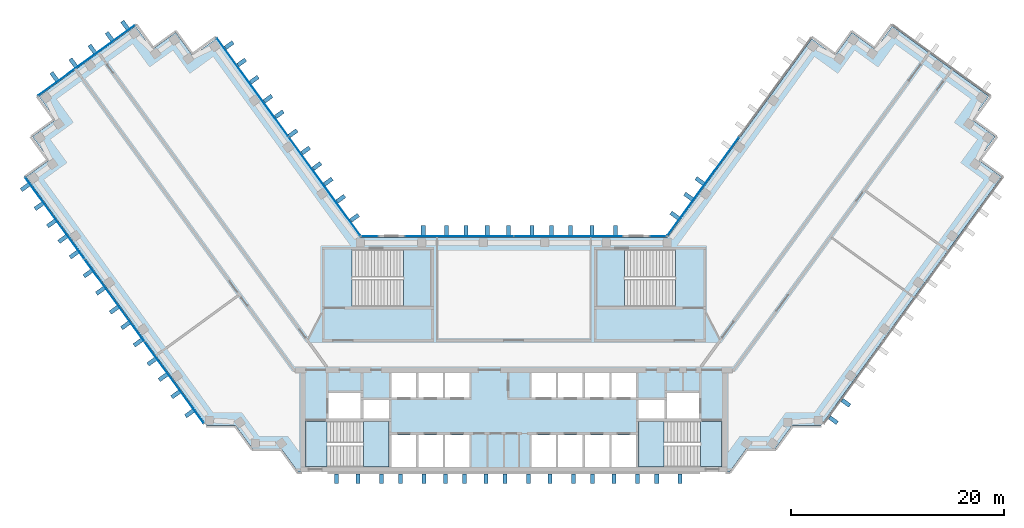
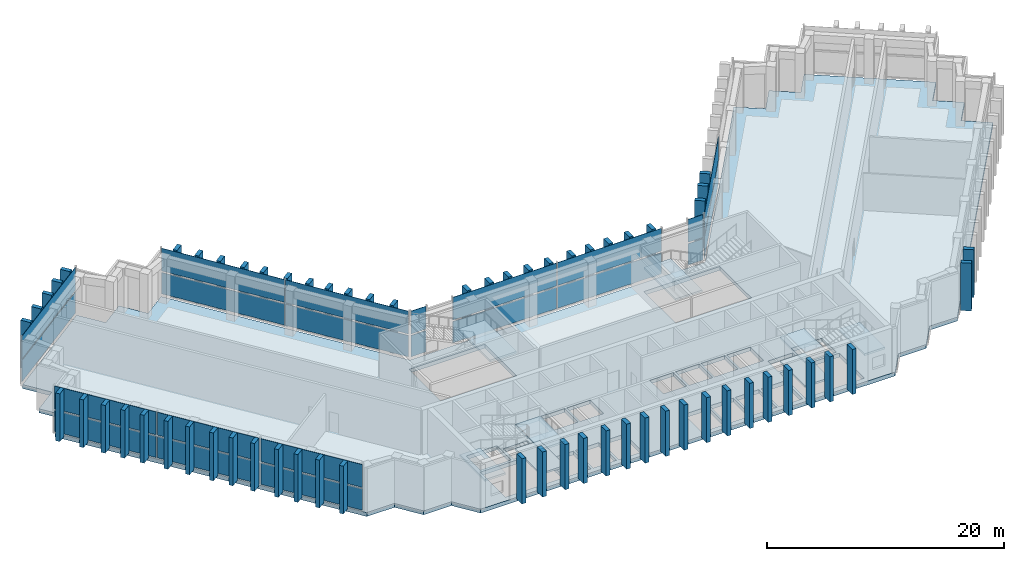
# One storey, part 6 of 14: 84 plates, 9 slabs, 11 elements without a shape of their own.
"""IFC4 building model written with IfcOpenShell, lengths in metres."""

from ifc_helpers import new_model, si_unit, direction, frame, origin, origin_2d, place, context, subcontext, project, spatial, polyline, rectangle, outline, extrude, material, layer, layer_set, type_object, element, aggregate, save


model = new_model("IFC4")

# Units and contexts
model_context = context("Model", 3, precision=1e-05, world=origin(), true_north=direction((0.0, 1.0)))
body_context = subcontext(model_context, "Body", "Model", "MODEL_VIEW")
ifc_project = project(units=[si_unit("LENGTHUNIT", "METRE"), si_unit("AREAUNIT", "SQUARE_METRE"), si_unit("VOLUMEUNIT", "CUBIC_METRE"), si_unit("PLANEANGLEUNIT", "RADIAN"), si_unit("MASSUNIT", "GRAM", prefix="KILO")], contexts=[model_context])

# Site, building, storey
site_placement = place(None, origin())
site = spatial("IfcSite", under=ifc_project, at=site_placement, CompositionType="ELEMENT")
building_placement = place(site_placement, origin())
building = spatial("IfcBuilding", under=site, at=building_placement, Name="Quipu Civic Tower", CompositionType="ELEMENT")
storey_placement = place(building_placement, frame((0.0, 0.0, 139.0)))
storey = spatial("IfcBuildingStorey", under=building, at=storey_placement, Name="L32", CompositionType="ELEMENT", Elevation=139.0)

# Slab
ifc_material_1 = material(Name="Concrete C40/50", Category="concrete")
ifc_layer_1 = layer(ifc_material_1, 0.39990234375)
ifc_layer_set_1 = layer_set([ifc_layer_1], Name="Concrete C40/50")
slab_type_1 = type_object("IfcSlabType", Name="Floor slab 400 C40/50", PredefinedType="FLOOR", material=ifc_layer_set_1)
slab_1_placement = place(storey_placement, frame((0.0, 0.0, -0.39990234375)))
element("IfcSlab", 1, at=slab_1_placement, inside=storey, type_object=slab_type_1, Name="Floor slab L32", PredefinedType="FLOOR", context=body_context, shape_type="SweptSolid", body=[
    extrude(outline(polyline([(27.909912109375, 29.60498046875), (30.094970703125, 28.014892578125), (31.68505859375, 30.199951171875), (33.864990234375, 28.614990234375), (35.455078125, 30.800048828125), (44.514892578125, 24.215087890625), (42.929931640625, 22.030029296875), (45.114990234375, 20.445068359375), (43.52490234375, 18.260009765625), (45.7099609375, 16.669921875), (28.780029296875, -6.6298828125), (26.080078125, -6.6298828125), (24.489990234375, -8.81494140625), (21.7900390625, -8.81494140625), (20.205078125, -11.0), (-20.205078125, -11.0), (-21.7900390625, -8.81494140625), (-24.489990234375, -8.81494140625), (-26.080078125, -6.6298828125), (-28.780029296875, -6.6298828125), (-45.7099609375, 16.669921875), (-43.52490234375, 18.260009765625), (-45.114990234375, 20.445068359375), (-42.929931640625, 22.030029296875), (-44.514892578125, 24.215087890625), (-35.455078125, 30.800048828125), (-33.864990234375, 28.614990234375), (-31.68505859375, 30.199951171875), (-30.094970703125, 28.014892578125), (-27.909912109375, 29.60498046875), (-14.39501953125, 11.0), (14.39501953125, 11.0), (27.909912109375, 29.60498046875)]), holes=[polyline([(-11.449951171875, -7.5), (-11.449951171875, -10.5), (-9.14990234375, -10.5), (-9.14990234375, -7.5), (-11.449951171875, -7.5)]), polyline([(-8.949951171875, -7.5), (-8.949951171875, -10.5), (-6.64990234375, -10.5), (-6.64990234375, -7.5), (-8.949951171875, -7.5)]), polyline([(-6.449951171875, -7.5), (-6.449951171875, -10.5), (-4.14990234375, -10.5), (-4.14990234375, -7.5), (-6.449951171875, -7.5)]), polyline([(3.949951171875, -7.5), (1.64990234375, -7.5), (1.64990234375, -10.5), (3.949951171875, -10.5), (3.949951171875, -7.5)]), polyline([(-11.705078125, -10.4951171875), (-11.705078125, -6.2548828125), (-17.4951171875, -6.2548828125), (-17.4951171875, -10.4951171875), (-11.705078125, -10.4951171875)]), polyline([(-14.10009765625, -4.25), (-14.10009765625, -6.0), (-11.699951171875, -6.0), (-11.699951171875, -4.25), (-14.10009765625, -4.25)]), polyline([(-14.35009765625, -3.60009765625), (-17.35009765625, -3.60009765625), (-17.35009765625, -6.0), (-14.35009765625, -6.0), (-14.35009765625, -3.60009765625)]), polyline([(-9.14990234375, -1.699951171875), (-11.449951171875, -1.699951171875), (-11.449951171875, -4.0), (-9.14990234375, -4.0), (-9.14990234375, -1.699951171875)]), polyline([(-8.949951171875, -1.699951171875), (-8.949951171875, -4.0), (-6.64990234375, -4.0), (-6.64990234375, -1.699951171875), (-8.949951171875, -1.699951171875)]), polyline([(-4.14990234375, -1.699951171875), (-6.449951171875, -1.699951171875), (-6.449951171875, -4.0), (-4.14990234375, -4.0), (-4.14990234375, -1.699951171875)]), polyline([(-7.7548828125, 4.5048828125), (-7.7548828125, 9.844970703125), (-15.14501953125, 9.844970703125), (-15.14501953125, 4.5048828125), (-7.7548828125, 4.5048828125)]), polyline([(4.14990234375, -7.5), (4.14990234375, -10.5), (6.449951171875, -10.5), (6.449951171875, -7.5), (4.14990234375, -7.5)]), polyline([(6.64990234375, -7.5), (6.64990234375, -10.5), (8.949951171875, -10.5), (8.949951171875, -7.5), (6.64990234375, -7.5)]), polyline([(9.14990234375, -7.5), (9.14990234375, -10.5), (11.449951171875, -10.5), (11.449951171875, -7.5), (9.14990234375, -7.5)]), polyline([(11.705078125, -6.2548828125), (11.705078125, -10.4951171875), (17.4951171875, -10.4951171875), (17.4951171875, -6.2548828125), (11.705078125, -6.2548828125)]), polyline([(14.10009765625, -4.25), (11.699951171875, -4.25), (11.699951171875, -6.0), (14.10009765625, -6.0), (14.10009765625, -4.25)]), polyline([(14.35009765625, -3.60009765625), (14.35009765625, -6.0), (17.35009765625, -6.0), (17.35009765625, -3.60009765625), (14.35009765625, -3.60009765625)]), polyline([(3.949951171875, -1.699951171875), (1.64990234375, -1.699951171875), (1.64990234375, -4.0), (3.949951171875, -4.0), (3.949951171875, -1.699951171875)]), polyline([(6.449951171875, -1.699951171875), (4.14990234375, -1.699951171875), (4.14990234375, -4.0), (6.449951171875, -4.0), (6.449951171875, -1.699951171875)]), polyline([(6.64990234375, -1.699951171875), (6.64990234375, -4.0), (8.949951171875, -4.0), (8.949951171875, -1.699951171875), (6.64990234375, -1.699951171875)]), polyline([(11.449951171875, -1.699951171875), (9.14990234375, -1.699951171875), (9.14990234375, -4.0), (11.449951171875, -4.0), (11.449951171875, -1.699951171875)]), polyline([(7.7548828125, 9.844970703125), (7.7548828125, 4.5048828125), (15.14501953125, 4.5048828125), (15.14501953125, 9.844970703125), (7.7548828125, 9.844970703125)])]), origin(), (0.0, 0.0, 1.0), 0.39990234375),
])

# Curtain wall, plates
ifc_material_2 = material(Name="Insulated glass unit", Category="glass")
curtain_wall_type = type_object("IfcCurtainWallType", Name="Sky lobby and refuge curtain wall CW5", PredefinedType="NOTDEFINED", material=ifc_material_2)
curtain_wall_1_placement = place(storey_placement, origin())
curtain_wall_1 = element("IfcCurtainWall", 2, at=curtain_wall_1_placement, inside=storey, type_object=curtain_wall_type, Name="Sky lobby and refuge curtain wall CW5 L32 run 1", PredefinedType="NOTDEFINED")
ifc_material_3 = material(Name="Insulated glass unit", Category="glass")
ifc_layer_2 = layer(ifc_material_3, 0.035888671875)
ifc_layer_set_2 = layer_set([ifc_layer_2], Name="Insulated glass unit")
plate_type_1 = type_object("IfcPlateType", Name="Glass panel CW5", PredefinedType="CURTAIN_PANEL", material=ifc_layer_set_2)
plate_1_placement = place(storey_placement, frame((-17.74658203125, 15.782958984375, 0.22509765625), z_axis=(0.0, 0.0, 1.0), x_axis=(-0.587788727052, 0.809014469803, 0.0)))
plate_1 = element("IfcPlate", 3, at=plate_1_placement, type_object=plate_type_1, Name="CW5 panel 1.1", PredefinedType="CURTAIN_PANEL", context=body_context, shape_type="SweptSolid", body=[
    extrude(rectangle(XDim=11.357177734375, YDim=0.035888671875, at=origin_2d()), origin(), (0.0, 0.0, 1.0), 2.199951171875),
])
plate_2_placement = place(storey_placement, frame((-17.74658203125, 15.782958984375, 2.574951171875), z_axis=(0.0, 0.0, 1.0), x_axis=(-0.587788727052, 0.809014469803, 0.0)))
plate_2 = element("IfcPlate", 4, at=plate_2_placement, type_object=plate_type_1, Name="CW5 panel 1.2", PredefinedType="CURTAIN_PANEL", context=body_context, shape_type="SweptSolid", body=[
    extrude(rectangle(XDim=11.357177734375, YDim=0.035888671875, at=origin_2d()), origin(), (0.0, 0.0, 1.0), 2.35009765625),
])
plate_3_placement = place(storey_placement, frame((-24.48681640625, 25.06005859375, 0.22509765625), z_axis=(0.0, 0.0, 1.0), x_axis=(-0.587788727052, 0.809014469803, 0.0)))
plate_3 = element("IfcPlate", 5, at=plate_3_placement, type_object=plate_type_1, Name="CW5 panel 2.1", PredefinedType="CURTAIN_PANEL", context=body_context, shape_type="SweptSolid", body=[
    extrude(rectangle(XDim=11.357177734375, YDim=0.035888671875, at=origin_2d()), origin(), (0.0, 0.0, 1.0), 2.199951171875),
])
plate_4_placement = place(storey_placement, frame((-24.48681640625, 25.06005859375, 2.574951171875), z_axis=(0.0, 0.0, 1.0), x_axis=(-0.587788727052, 0.809014469803, 0.0)))
plate_4 = element("IfcPlate", 6, at=plate_4_placement, type_object=plate_type_1, Name="CW5 panel 2.2", PredefinedType="CURTAIN_PANEL", context=body_context, shape_type="SweptSolid", body=[
    extrude(rectangle(XDim=11.357177734375, YDim=0.035888671875, at=origin_2d()), origin(), (0.0, 0.0, 1.0), 2.35009765625),
])
aggregate(curtain_wall_1, [plate_1, plate_2, plate_3, plate_4])

curtain_wall_2_placement = place(storey_placement, origin())
curtain_wall_2 = element("IfcCurtainWall", 7, at=curtain_wall_2_placement, inside=storey, type_object=curtain_wall_type, Name="Sky lobby and refuge curtain wall CW5 L32 run 6", PredefinedType="NOTDEFINED")
plate_5_placement = place(storey_placement, frame((-40.04345703125, 27.58740234375, 0.22509765625), z_axis=(0.0, 0.0, 1.0), x_axis=(-0.809015176832, -0.587787753918, 0.0)))
plate_5 = element("IfcPlate", 8, at=plate_5_placement, type_object=plate_type_1, Name="CW5 panel 1.1", PredefinedType="CURTAIN_PANEL", context=body_context, shape_type="SweptSolid", body=[
    extrude(rectangle(XDim=11.179931640625, YDim=0.035888671875, at=origin_2d()), origin(), (0.0, 0.0, 1.0), 2.199951171875),
])
plate_6_placement = place(storey_placement, frame((-40.04345703125, 27.58740234375, 2.574951171875), z_axis=(0.0, 0.0, 1.0), x_axis=(-0.809015176832, -0.587787753918, 0.0)))
plate_6 = element("IfcPlate", 9, at=plate_6_placement, type_object=plate_type_1, Name="CW5 panel 1.2", PredefinedType="CURTAIN_PANEL", context=body_context, shape_type="SweptSolid", body=[
    extrude(rectangle(XDim=11.179931640625, YDim=0.035888671875, at=origin_2d()), origin(), (0.0, 0.0, 1.0), 2.35009765625),
])
aggregate(curtain_wall_2, [plate_5, plate_6])

curtain_wall_3_placement = place(storey_placement, origin())
curtain_wall_3 = element("IfcCurtainWall", 10, at=curtain_wall_3_placement, inside=storey, type_object=curtain_wall_type, Name="Sky lobby and refuge curtain wall CW5 L32 run 11", PredefinedType="NOTDEFINED")
plate_7_placement = place(storey_placement, frame((-43.026123046875, 12.80810546875, 0.22509765625), z_axis=(0.0, 0.0, 1.0), x_axis=(0.5877856923, -0.80901667469, 0.0)))
plate_7 = element("IfcPlate", 11, at=plate_7_placement, type_object=plate_type_1, Name="CW5 panel 1.1", PredefinedType="CURTAIN_PANEL", context=body_context, shape_type="SweptSolid", body=[
    extrude(rectangle(XDim=9.386962890625, YDim=0.035888671875, at=origin_2d()), origin(), (0.0, 0.0, 1.0), 2.199951171875),
])
plate_8_placement = place(storey_placement, frame((-43.026123046875, 12.80810546875, 2.574951171875), z_axis=(0.0, 0.0, 1.0), x_axis=(0.5877856923, -0.80901667469, 0.0)))
plate_8 = element("IfcPlate", 12, at=plate_8_placement, type_object=plate_type_1, Name="CW5 panel 1.2", PredefinedType="CURTAIN_PANEL", context=body_context, shape_type="SweptSolid", body=[
    extrude(rectangle(XDim=9.386962890625, YDim=0.035888671875, at=origin_2d()), origin(), (0.0, 0.0, 1.0), 2.35009765625),
])
plate_9_placement = place(storey_placement, frame((-37.427734375, 5.102783203125, 0.22509765625), z_axis=(0.0, 0.0, 1.0), x_axis=(0.5877856923, -0.80901667469, 0.0)))
plate_9 = element("IfcPlate", 13, at=plate_9_placement, type_object=plate_type_1, Name="CW5 panel 2.1", PredefinedType="CURTAIN_PANEL", context=body_context, shape_type="SweptSolid", body=[
    extrude(rectangle(XDim=9.44189453125, YDim=0.035888671875, at=origin_2d()), origin(), (0.0, 0.0, 1.0), 2.199951171875),
])
plate_10_placement = place(storey_placement, frame((-37.427734375, 5.102783203125, 2.574951171875), z_axis=(0.0, 0.0, 1.0), x_axis=(0.5877856923, -0.80901667469, 0.0)))
plate_10 = element("IfcPlate", 14, at=plate_10_placement, type_object=plate_type_1, Name="CW5 panel 2.2", PredefinedType="CURTAIN_PANEL", context=body_context, shape_type="SweptSolid", body=[
    extrude(rectangle(XDim=9.44189453125, YDim=0.035888671875, at=origin_2d()), origin(), (0.0, 0.0, 1.0), 2.35009765625),
])
plate_11_placement = place(storey_placement, frame((-31.829345703125, -2.602783203125, 0.22509765625), z_axis=(0.0, 0.0, 1.0), x_axis=(0.5877856923, -0.80901667469, 0.0)))
plate_11 = element("IfcPlate", 15, at=plate_11_placement, type_object=plate_type_1, Name="CW5 panel 3.1", PredefinedType="CURTAIN_PANEL", context=body_context, shape_type="SweptSolid", body=[
    extrude(rectangle(XDim=9.386962890625, YDim=0.035888671875, at=origin_2d()), origin(), (0.0, 0.0, 1.0), 2.199951171875),
])
plate_12_placement = place(storey_placement, frame((-31.829345703125, -2.602783203125, 2.574951171875), z_axis=(0.0, 0.0, 1.0), x_axis=(0.5877856923, -0.80901667469, 0.0)))
plate_12 = element("IfcPlate", 16, at=plate_12_placement, type_object=plate_type_1, Name="CW5 panel 3.2", PredefinedType="CURTAIN_PANEL", context=body_context, shape_type="SweptSolid", body=[
    extrude(rectangle(XDim=9.386962890625, YDim=0.035888671875, at=origin_2d()), origin(), (0.0, 0.0, 1.0), 2.35009765625),
])
aggregate(curtain_wall_3, [plate_7, plate_8, plate_9, plate_10, plate_11, plate_12])

curtain_wall_4_placement = place(storey_placement, origin())
curtain_wall_4 = element("IfcCurtainWall", 17, at=curtain_wall_4_placement, inside=storey, type_object=curtain_wall_type, Name="Sky lobby and refuge curtain wall CW5 L32 run 33", PredefinedType="NOTDEFINED")
plate_13_placement = place(storey_placement, frame((17.74658203125, 15.782958984375, 0.22509765625), z_axis=(0.0, 0.0, 1.0), x_axis=(-0.587788727052, -0.809014469803, 0.0)))
plate_13 = element("IfcPlate", 18, at=plate_13_placement, type_object=plate_type_1, Name="CW5 panel 2.1", PredefinedType="CURTAIN_PANEL", context=body_context, shape_type="SweptSolid", body=[
    extrude(rectangle(XDim=11.357177734375, YDim=0.035888671875, at=origin_2d()), origin(), (0.0, 0.0, 1.0), 2.199951171875),
])
plate_14_placement = place(storey_placement, frame((17.74658203125, 15.782958984375, 2.574951171875), z_axis=(0.0, 0.0, 1.0), x_axis=(-0.587788727052, -0.809014469803, 0.0)))
plate_14 = element("IfcPlate", 19, at=plate_14_placement, type_object=plate_type_1, Name="CW5 panel 2.2", PredefinedType="CURTAIN_PANEL", context=body_context, shape_type="SweptSolid", body=[
    extrude(rectangle(XDim=11.357177734375, YDim=0.035888671875, at=origin_2d()), origin(), (0.0, 0.0, 1.0), 2.35009765625),
])
aggregate(curtain_wall_4, [plate_13, plate_14])

curtain_wall_5_placement = place(storey_placement, origin())
curtain_wall_5 = element("IfcCurtainWall", 20, at=curtain_wall_5_placement, inside=storey, type_object=curtain_wall_type, Name="Sky lobby and refuge curtain wall CW5 L32 run 34", PredefinedType="NOTDEFINED")
plate_15_placement = place(storey_placement, frame((13.49951171875, 11.10009765625, 0.22509765625), z_axis=(0.0, 0.0, 1.0), x_axis=(-1.0, 0.0, 0.0)))
plate_15 = element("IfcPlate", 21, at=plate_15_placement, type_object=plate_type_1, Name="CW5 panel 1.1", PredefinedType="CURTAIN_PANEL", context=body_context, shape_type="SweptSolid", body=[
    extrude(rectangle(XDim=1.46923828125, YDim=0.035888671875, at=origin_2d()), origin(), (0.0, 0.0, 1.0), 2.199951171875),
])
plate_16_placement = place(storey_placement, frame((13.49951171875, 11.10009765625, 2.574951171875), z_axis=(0.0, 0.0, 1.0), x_axis=(-1.0, 0.0, 0.0)))
plate_16 = element("IfcPlate", 22, at=plate_16_placement, type_object=plate_type_1, Name="CW5 panel 1.2", PredefinedType="CURTAIN_PANEL", context=body_context, shape_type="SweptSolid", body=[
    extrude(rectangle(XDim=1.46923828125, YDim=0.035888671875, at=origin_2d()), origin(), (0.0, 0.0, 1.0), 2.35009765625),
])
aggregate(curtain_wall_5, [plate_15, plate_16])

curtain_wall_6_placement = place(storey_placement, origin())
curtain_wall_6 = element("IfcCurtainWall", 23, at=curtain_wall_6_placement, inside=storey, type_object=curtain_wall_type, Name="Sky lobby and refuge curtain wall CW5 L32 run 36", PredefinedType="NOTDEFINED")
plate_17_placement = place(storey_placement, frame((5.104248046875, 11.10009765625, 0.22509765625), z_axis=(0.0, 0.0, 1.0), x_axis=(-1.0, 0.0, 0.0)))
plate_17 = element("IfcPlate", 24, at=plate_17_placement, type_object=plate_type_1, Name="CW5 panel 1.1", PredefinedType="CURTAIN_PANEL", context=body_context, shape_type="SweptSolid", body=[
    extrude(rectangle(XDim=10.098388671875, YDim=0.035888671875, at=origin_2d()), origin(), (0.0, 0.0, 1.0), 2.199951171875),
])
plate_18_placement = place(storey_placement, frame((5.104248046875, 11.10009765625, 2.574951171875), z_axis=(0.0, 0.0, 1.0), x_axis=(-1.0, 0.0, 0.0)))
plate_18 = element("IfcPlate", 25, at=plate_18_placement, type_object=plate_type_1, Name="CW5 panel 1.2", PredefinedType="CURTAIN_PANEL", context=body_context, shape_type="SweptSolid", body=[
    extrude(rectangle(XDim=10.098388671875, YDim=0.035888671875, at=origin_2d()), origin(), (0.0, 0.0, 1.0), 2.35009765625),
])
plate_19_placement = place(storey_placement, frame((-5.104248046875, 11.10009765625, 0.22509765625), z_axis=(0.0, 0.0, 1.0), x_axis=(-1.0, 0.0, 0.0)))
plate_19 = element("IfcPlate", 26, at=plate_19_placement, type_object=plate_type_1, Name="CW5 panel 2.1", PredefinedType="CURTAIN_PANEL", context=body_context, shape_type="SweptSolid", body=[
    extrude(rectangle(XDim=10.098388671875, YDim=0.035888671875, at=origin_2d()), origin(), (0.0, 0.0, 1.0), 2.199951171875),
])
plate_20_placement = place(storey_placement, frame((-5.104248046875, 11.10009765625, 2.574951171875), z_axis=(0.0, 0.0, 1.0), x_axis=(-1.0, 0.0, 0.0)))
plate_20 = element("IfcPlate", 27, at=plate_20_placement, type_object=plate_type_1, Name="CW5 panel 2.2", PredefinedType="CURTAIN_PANEL", context=body_context, shape_type="SweptSolid", body=[
    extrude(rectangle(XDim=10.098388671875, YDim=0.035888671875, at=origin_2d()), origin(), (0.0, 0.0, 1.0), 2.35009765625),
])
aggregate(curtain_wall_6, [plate_17, plate_18, plate_19, plate_20])

curtain_wall_7_placement = place(storey_placement, origin())
curtain_wall_7 = element("IfcCurtainWall", 28, at=curtain_wall_7_placement, inside=storey, type_object=curtain_wall_type, Name="Sky lobby and refuge curtain wall CW5 L32 run 38", PredefinedType="NOTDEFINED")
plate_21_placement = place(storey_placement, frame((-13.49951171875, 11.10009765625, 0.22509765625), z_axis=(0.0, 0.0, 1.0), x_axis=(-1.0, 0.0, 0.0)))
plate_21 = element("IfcPlate", 29, at=plate_21_placement, type_object=plate_type_1, Name="CW5 panel 1.1", PredefinedType="CURTAIN_PANEL", context=body_context, shape_type="SweptSolid", body=[
    extrude(rectangle(XDim=1.46923828125, YDim=0.035888671875, at=origin_2d()), origin(), (0.0, 0.0, 1.0), 2.199951171875),
])
plate_22_placement = place(storey_placement, frame((-13.49951171875, 11.10009765625, 2.574951171875), z_axis=(0.0, 0.0, 1.0), x_axis=(-1.0, 0.0, 0.0)))
plate_22 = element("IfcPlate", 30, at=plate_22_placement, type_object=plate_type_1, Name="CW5 panel 1.2", PredefinedType="CURTAIN_PANEL", context=body_context, shape_type="SweptSolid", body=[
    extrude(rectangle(XDim=1.46923828125, YDim=0.035888671875, at=origin_2d()), origin(), (0.0, 0.0, 1.0), 2.35009765625),
])
aggregate(curtain_wall_7, [plate_21, plate_22])

# Plates
ifc_material_4 = material(Name="Precast concrete C40/50", Category="concrete")
plate_type_2 = type_object("IfcPlateType", Name="Precast fin F2", PredefinedType="SHEET", material=ifc_material_4)
for number, where, z_axis, x_axis, name in (
    (31, (-14.92138671875, 12.830078125, 0.0751953125), (0.0, 0.0, 1.0), (-0.587787133119, 0.809015627871, 0.0), "Precast fin F2 L32.1.1"),
    (32, (-16.214599609375, 14.610107421875, 0.0751953125), (0.0, 0.0, 1.0), (-0.587787133119, 0.809015627871, 0.0), "Precast fin F2 L32.1.2"),
    (33, (-17.39013671875, 16.22802734375, 0.0751953125), (0.0, 0.0, 1.0), (-0.587787133119, 0.809015627871, 0.0), "Precast fin F2 L32.1.3"),
    (34, (-18.4482421875, 17.684326171875, 0.0751953125), (0.0, 0.0, 1.0), (-0.587787133119, 0.809015627871, 0.0), "Precast fin F2 L32.1.4"),
    (35, (-19.506103515625, 19.140625, 0.0751953125), (0.0, 0.0, 1.0), (-0.587787133119, 0.809015627871, 0.0), "Precast fin F2 L32.1.5"),
    (36, (-20.681884765625, 20.758544921875, 0.0751953125), (0.0, 0.0, 1.0), (-0.587787133119, 0.809015627871, 0.0), "Precast fin F2 L32.1.6"),
    (37, (-21.974853515625, 22.538330078125, 0.0751953125), (0.0, 0.0, 1.0), (-0.587787133119, 0.809015627871, 0.0), "Precast fin F2 L32.1.7"),
    (38, (-23.032958984375, 23.99462890625, 0.0751953125), (0.0, 0.0, 1.0), (-0.587787133119, 0.809015627871, 0.0), "Precast fin F2 L32.1.8"),
    (39, (-24.326171875, 25.7744140625, 0.0751953125), (0.0, 0.0, 1.0), (-0.587787133119, 0.809015627871, 0.0), "Precast fin F2 L32.1.9"),
    (40, (-25.501708984375, 27.392578125, 0.0751953125), (0.0, 0.0, 1.0), (-0.587787133119, 0.809015627871, 0.0), "Precast fin F2 L32.1.10"),
    (41, (-26.67724609375, 29.010498046875, 0.0751953125), (0.0, 0.0, 1.0), (-0.587787133119, 0.809015627871, 0.0), "Precast fin F2 L32.1.11"),
    (42, (-36.434814453125, 30.88916015625, 0.0751953125), (0.0, 0.0, 1.0), (-0.809017072762, -0.587785144401, 0.0), "Precast fin F2 L32.6.1"),
    (43, (-37.89111328125, 29.8310546875, 0.0751953125), (0.0, 0.0, 1.0), (-0.809017072762, -0.587785144401, 0.0), "Precast fin F2 L32.6.2"),
    (44, (-39.50927734375, 28.655517578125, 0.0751953125), (0.0, 0.0, 1.0), (-0.809017072762, -0.587785144401, 0.0), "Precast fin F2 L32.6.3"),
    (45, (-41.2890625, 27.3623046875, 0.0751953125), (0.0, 0.0, 1.0), (-0.809017072762, -0.587785144401, 0.0), "Precast fin F2 L32.6.4"),
    (46, (-43.06884765625, 26.0693359375, 0.0751953125), (0.0, 0.0, 1.0), (-0.809017072762, -0.587785144401, 0.0), "Precast fin F2 L32.6.5"),
    (47, (-45.80078125, 15.69140625, 0.0751953125), (0.0, 0.0, 1.0), (0.587785620359, -0.809016726959, 0.0), "Precast fin F2 L32.11.1"),
    (48, (-44.507568359375, 13.91162109375, 0.0751953125), (0.0, 0.0, 1.0), (0.587785620359, -0.809016726959, 0.0), "Precast fin F2 L32.11.2"),
    (49, (-43.33203125, 12.293701171875, 0.0751953125), (0.0, 0.0, 1.0), (0.587785620359, -0.809016726959, 0.0), "Precast fin F2 L32.11.3"),
    (50, (-42.27392578125, 10.83740234375, 0.0751953125), (0.0, 0.0, 1.0), (0.587785620359, -0.809016726959, 0.0), "Precast fin F2 L32.11.4"),
    (51, (-41.216064453125, 9.381103515625, 0.0751953125), (0.0, 0.0, 1.0), (0.587785620359, -0.809016726959, 0.0), "Precast fin F2 L32.11.5"),
    (52, (-39.9228515625, 7.601318359375, 0.0751953125), (0.0, 0.0, 1.0), (0.587785620359, -0.809016726959, 0.0), "Precast fin F2 L32.11.6"),
    (53, (-38.747314453125, 5.983154296875, 0.0751953125), (0.0, 0.0, 1.0), (0.587785620359, -0.809016726959, 0.0), "Precast fin F2 L32.11.7"),
    (54, (-37.4541015625, 4.203369140625, 0.0751953125), (0.0, 0.0, 1.0), (0.587785620359, -0.809016726959, 0.0), "Precast fin F2 L32.11.8"),
    (55, (-36.396240234375, 2.747314453125, 0.0751953125), (0.0, 0.0, 1.0), (0.587785620359, -0.809016726959, 0.0), "Precast fin F2 L32.11.9"),
    (56, (-35.220458984375, 1.129150390625, 0.0751953125), (0.0, 0.0, 1.0), (0.587785620359, -0.809016726959, 0.0), "Precast fin F2 L32.11.10"),
    (57, (-33.927490234375, -0.650634765625, 0.0751953125), (0.0, 0.0, 1.0), (0.587785620359, -0.809016726959, 0.0), "Precast fin F2 L32.11.11"),
    (58, (-32.869384765625, -2.10693359375, 0.0751953125), (0.0, 0.0, 1.0), (0.587785620359, -0.809016726959, 0.0), "Precast fin F2 L32.11.12"),
    (59, (-31.69384765625, -3.724853515625, 0.0751953125), (0.0, 0.0, 1.0), (0.587785620359, -0.809016726959, 0.0), "Precast fin F2 L32.11.13"),
    (60, (-30.400634765625, -5.5048828125, 0.0751953125), (0.0, 0.0, 1.0), (0.587785620359, -0.809016726959, 0.0), "Precast fin F2 L32.11.14"),
):
    element("IfcPlate", number, at=place(storey_placement, frame(where, z_axis=z_axis, x_axis=x_axis)), inside=storey, type_object=plate_type_2, Name=name, PredefinedType="SHEET", context=body_context, shape_type="SweptSolid", body=[
        extrude(rectangle(XDim=0.3798828125, YDim=0.89990234375, at=origin_2d()), origin(), (0.0, 0.0, 1.0), 4.925048828125),
    ])
for number, where, z_axis, x_axis, name in (
    (61, (-16.610107421875, -11.637939453125, 0.0), (0.0, 0.0, 1.0), (1.0, 0.0, 0.0), "Precast fin F2 L32.17.1"),
    (62, (-14.610107421875, -11.637939453125, 0.0), (0.0, 0.0, 1.0), (1.0, 0.0, 0.0), "Precast fin F2 L32.17.2"),
    (63, (-12.409912109375, -11.637939453125, 0.0), (0.0, 0.0, 1.0), (1.0, 0.0, 0.0), "Precast fin F2 L32.17.3"),
    (64, (-10.610107421875, -11.637939453125, 0.0), (0.0, 0.0, 1.0), (1.0, 0.0, 0.0), "Precast fin F2 L32.17.4"),
    (65, (-8.409912109375, -11.637939453125, 0.0), (0.0, 0.0, 1.0), (1.0, 0.0, 0.0), "Precast fin F2 L32.17.5"),
    (66, (-6.409912109375, -11.637939453125, 0.0), (0.0, 0.0, 1.0), (1.0, 0.0, 0.0), "Precast fin F2 L32.17.6"),
    (67, (-4.610107421875, -11.637939453125, 0.0), (0.0, 0.0, 1.0), (1.0, 0.0, 0.0), "Precast fin F2 L32.17.7"),
    (68, (-2.610107421875, -11.637939453125, 0.0), (0.0, 0.0, 1.0), (1.0, 0.0, 0.0), "Precast fin F2 L32.17.8"),
    (69, (-0.81005859375, -11.637939453125, 0.0), (0.0, 0.0, 1.0), (1.0, 0.0, 0.0), "Precast fin F2 L32.17.9"),
    (70, (1.389892578125, -11.637939453125, 0.0), (0.0, 0.0, 1.0), (1.0, 0.0, 0.0), "Precast fin F2 L32.17.10"),
    (71, (3.389892578125, -11.637939453125, 0.0), (0.0, 0.0, 1.0), (1.0, 0.0, 0.0), "Precast fin F2 L32.17.11"),
    (72, (5.590087890625, -11.637939453125, 0.0), (0.0, 0.0, 1.0), (1.0, 0.0, 0.0), "Precast fin F2 L32.17.12"),
    (73, (7.389892578125, -11.637939453125, 0.0), (0.0, 0.0, 1.0), (1.0, 0.0, 0.0), "Precast fin F2 L32.17.13"),
    (74, (9.389892578125, -11.637939453125, 0.0), (0.0, 0.0, 1.0), (1.0, 0.0, 0.0), "Precast fin F2 L32.17.14"),
    (75, (11.590087890625, -11.637939453125, 0.0), (0.0, 0.0, 1.0), (1.0, 0.0, 0.0), "Precast fin F2 L32.17.15"),
    (76, (13.389892578125, -11.637939453125, 0.0), (0.0, 0.0, 1.0), (1.0, 0.0, 0.0), "Precast fin F2 L32.17.16"),
    (77, (15.590087890625, -11.637939453125, 0.0), (0.0, 0.0, 1.0), (1.0, 0.0, 0.0), "Precast fin F2 L32.17.17"),
):
    element("IfcPlate", number, at=place(storey_placement, frame(where, z_axis=z_axis, x_axis=x_axis)), inside=storey, type_object=plate_type_2, Name=name, PredefinedType="SHEET", context=body_context, shape_type="SweptSolid", body=[
        extrude(rectangle(XDim=0.3798828125, YDim=0.89990234375, at=origin_2d()), origin(), (0.0, 0.0, 1.0), 4.64990234375),
    ])
for number, where, z_axis, x_axis, name in (
    (78, (29.944091796875, -6.133056640625, 0.0751953125), (0.0, 0.0, 1.0), (0.587785620359, 0.809016726959, 0.0), "Precast fin F2 L32.23.1"),
    (79, (31.119873046875, -4.51513671875, 0.0751953125), (0.0, 0.0, 1.0), (0.587785620359, 0.809016726959, 0.0), "Precast fin F2 L32.23.2"),
    (80, (17.428466796875, 16.28076171875, 0.0751953125), (0.0, 0.0, 1.0), (-0.587787133119, -0.809015627871, 0.0), "Precast fin F2 L32.33.9"),
    (81, (16.37060546875, 14.82470703125, 0.0751953125), (0.0, 0.0, 1.0), (-0.587787133119, -0.809015627871, 0.0), "Precast fin F2 L32.33.10"),
    (82, (15.077392578125, 13.044677734375, 0.0751953125), (0.0, 0.0, 1.0), (-0.587787133119, -0.809015627871, 0.0), "Precast fin F2 L32.33.11"),
    (83, (9.510009765625, 11.64990234375, 0.0751953125), (0.0, 0.0, 1.0), (-1.0, 0.0, 0.0), "Precast fin F2 L32.36.1"),
    (84, (7.31005859375, 11.64990234375, 0.0751953125), (0.0, 0.0, 1.0), (-1.0, 0.0, 0.0), "Precast fin F2 L32.36.2"),
    (85, (5.31005859375, 11.64990234375, 0.0751953125), (0.0, 0.0, 1.0), (-1.0, 0.0, 0.0), "Precast fin F2 L32.36.3"),
    (86, (3.510009765625, 11.64990234375, 0.0751953125), (0.0, 0.0, 1.0), (-1.0, 0.0, 0.0), "Precast fin F2 L32.36.4"),
    (87, (1.7099609375, 11.64990234375, 0.0751953125), (0.0, 0.0, 1.0), (-1.0, 0.0, 0.0), "Precast fin F2 L32.36.5"),
    (88, (-0.489990234375, 11.64990234375, 0.0751953125), (0.0, 0.0, 1.0), (-1.0, 0.0, 0.0), "Precast fin F2 L32.36.6"),
    (89, (-2.489990234375, 11.64990234375, 0.0751953125), (0.0, 0.0, 1.0), (-1.0, 0.0, 0.0), "Precast fin F2 L32.36.7"),
    (90, (-4.489990234375, 11.64990234375, 0.0751953125), (0.0, 0.0, 1.0), (-1.0, 0.0, 0.0), "Precast fin F2 L32.36.8"),
    (91, (-6.2900390625, 11.64990234375, 0.0751953125), (0.0, 0.0, 1.0), (-1.0, 0.0, 0.0), "Precast fin F2 L32.36.9"),
    (92, (-8.489990234375, 11.64990234375, 0.0751953125), (0.0, 0.0, 1.0), (-1.0, 0.0, 0.0), "Precast fin F2 L32.36.10"),
):
    element("IfcPlate", number, at=place(storey_placement, frame(where, z_axis=z_axis, x_axis=x_axis)), inside=storey, type_object=plate_type_2, Name=name, PredefinedType="SHEET", context=body_context, shape_type="SweptSolid", body=[
        extrude(rectangle(XDim=0.3798828125, YDim=0.89990234375, at=origin_2d()), origin(), (0.0, 0.0, 1.0), 4.925048828125),
    ])

# Stair, slabs
ifc_material_5 = material(Name="Concrete C40/50", Category="concrete")
stair_type_1 = type_object("IfcStairType", Name="Half turn stair 2000", PredefinedType="HALF_TURN_STAIR", material=ifc_material_5)
stair_1_placement = place(storey_placement, origin())
stair_1 = element("IfcStair", 93, at=stair_1_placement, inside=storey, type_object=stair_type_1, Name="Exit stair 1", PredefinedType="HALF_TURN_STAIR")
ifc_material_6 = material(Name="Concrete C40/50", Category="concrete")
ifc_layer_3 = layer(ifc_material_6, 0.199951171875)
ifc_layer_set_3 = layer_set([ifc_layer_3], Name="Concrete C40/50")
slab_type_2 = type_object("IfcSlabType", Name="Stair landing 200", PredefinedType="LANDING", material=ifc_layer_set_3)
slab_2_placement = place(storey_placement, frame((0.0, 0.0, 1.050048828125)))
slab_2 = element("IfcSlab", 94, at=slab_2_placement, type_object=slab_type_2, Name="ST-1 landing 1", PredefinedType="LANDING", context=body_context, shape_type="SweptSolid", body=[
    extrude(outline(polyline([(-14.090087890625, -10.5), (-11.699951171875, -10.5), (-11.699951171875, -6.25), (-14.090087890625, -6.25), (-14.090087890625, -10.5)])), origin(), (0.0, 0.0, 1.0), 0.199951171875),
])
slab_3_placement = place(storey_placement, frame((0.0, 0.0, 2.300048828125)))
slab_3 = element("IfcSlab", 95, at=slab_3_placement, type_object=slab_type_2, Name="ST-1 landing 2", PredefinedType="LANDING", context=body_context, shape_type="SweptSolid", body=[
    extrude(outline(polyline([(-19.5, -10.5), (-17.5, -10.5), (-17.5, -6.25), (-19.5, -6.25), (-19.5, -10.5)])), origin(), (0.0, 0.0, 1.0), 0.199951171875),
])
slab_4_placement = place(storey_placement, frame((0.0, 0.0, 3.550048828125)))
slab_4 = element("IfcSlab", 96, at=slab_4_placement, type_object=slab_type_2, Name="ST-1 landing 3", PredefinedType="LANDING", context=body_context, shape_type="SweptSolid", body=[
    extrude(outline(polyline([(-14.090087890625, -10.5), (-11.699951171875, -10.5), (-11.699951171875, -6.25), (-14.090087890625, -6.25), (-14.090087890625, -10.5)])), origin(), (0.0, 0.0, 1.0), 0.199951171875),
])
aggregate(stair_1, [slab_2, slab_3, slab_4])

stair_2_placement = place(storey_placement, origin())
stair_2 = element("IfcStair", 97, at=stair_2_placement, inside=storey, type_object=stair_type_1, Name="Exit stair 2", PredefinedType="HALF_TURN_STAIR")
slab_5_placement = place(storey_placement, frame((0.0, 0.0, 1.050048828125)))
slab_5 = element("IfcSlab", 98, at=slab_5_placement, type_object=slab_type_2, Name="ST-2 landing 1", PredefinedType="LANDING", context=body_context, shape_type="SweptSolid", body=[
    extrude(outline(polyline([(14.090087890625, -6.25), (11.699951171875, -6.25), (11.699951171875, -10.5), (14.090087890625, -10.5), (14.090087890625, -6.25)])), origin(), (0.0, 0.0, 1.0), 0.199951171875),
])
slab_6_placement = place(storey_placement, frame((0.0, 0.0, 2.300048828125)))
slab_6 = element("IfcSlab", 99, at=slab_6_placement, type_object=slab_type_2, Name="ST-2 landing 2", PredefinedType="LANDING", context=body_context, shape_type="SweptSolid", body=[
    extrude(outline(polyline([(19.5, -6.25), (17.5, -6.25), (17.5, -10.5), (19.5, -10.5), (19.5, -6.25)])), origin(), (0.0, 0.0, 1.0), 0.199951171875),
])
slab_7_placement = place(storey_placement, frame((0.0, 0.0, 3.550048828125)))
slab_7 = element("IfcSlab", 100, at=slab_7_placement, type_object=slab_type_2, Name="ST-2 landing 3", PredefinedType="LANDING", context=body_context, shape_type="SweptSolid", body=[
    extrude(outline(polyline([(14.090087890625, -6.25), (11.699951171875, -6.25), (11.699951171875, -10.5), (14.090087890625, -10.5), (14.090087890625, -6.25)])), origin(), (0.0, 0.0, 1.0), 0.199951171875),
])
aggregate(stair_2, [slab_5, slab_6, slab_7])

# Stair, slab
ifc_material_7 = material(Name="Concrete C40/50", Category="concrete")
stair_type_2 = type_object("IfcStairType", Name="Half turn stair 2600", PredefinedType="HALF_TURN_STAIR", material=ifc_material_7)
stair_3_placement = place(storey_placement, origin())
stair_3 = element("IfcStair", 101, at=stair_3_placement, inside=storey, type_object=stair_type_2, Name="Exit stair 3", PredefinedType="HALF_TURN_STAIR")
slab_8_placement = place(storey_placement, frame((0.0, 0.0, 2.300048828125)))
slab_8 = element("IfcSlab", 102, at=slab_8_placement, type_object=slab_type_2, Name="ST-3 landing 1", PredefinedType="LANDING", context=body_context, shape_type="SweptSolid", body=[
    extrude(outline(polyline([(-10.35009765625, 4.5), (-7.75, 4.5), (-7.75, 9.85009765625), (-10.35009765625, 9.85009765625), (-10.35009765625, 4.5)])), origin(), (0.0, 0.0, 1.0), 0.199951171875),
])
aggregate(stair_3, [slab_8])

stair_4_placement = place(storey_placement, origin())
stair_4 = element("IfcStair", 103, at=stair_4_placement, inside=storey, type_object=stair_type_2, Name="Exit stair 4", PredefinedType="HALF_TURN_STAIR")
slab_9_placement = place(storey_placement, frame((0.0, 0.0, 2.300048828125)))
slab_9 = element("IfcSlab", 104, at=slab_9_placement, type_object=slab_type_2, Name="ST-4 landing 1", PredefinedType="LANDING", context=body_context, shape_type="SweptSolid", body=[
    extrude(outline(polyline([(10.35009765625, 9.85009765625), (7.75, 9.85009765625), (7.75, 4.5), (10.35009765625, 4.5), (10.35009765625, 9.85009765625)])), origin(), (0.0, 0.0, 1.0), 0.199951171875),
])
aggregate(stair_4, [slab_9])

save(model, "model.ifc")
